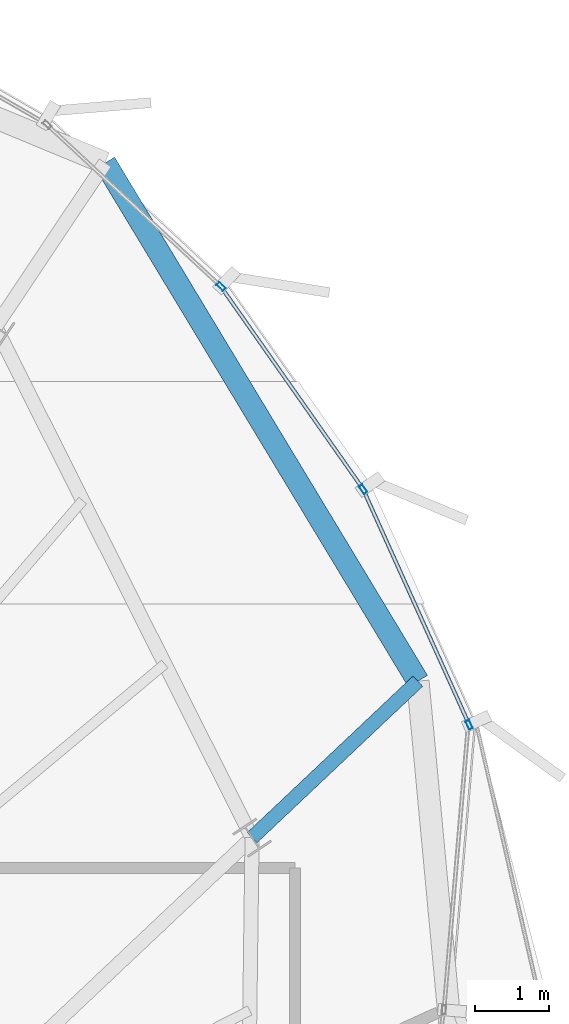
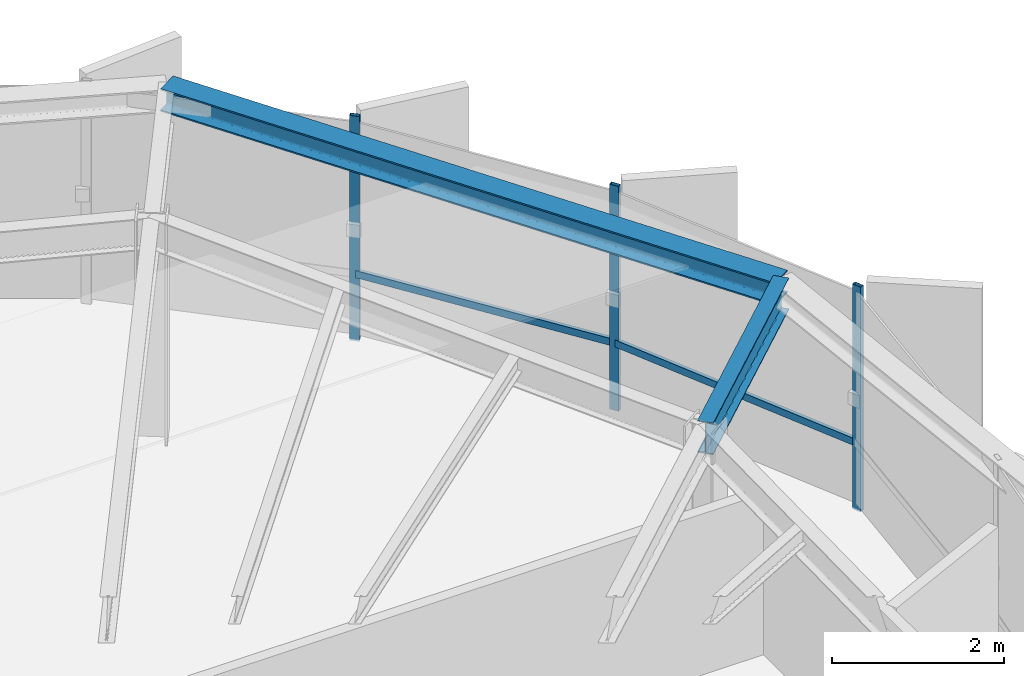
# One storey, part 23 of 31: 5 members, 2 beams, 1 element without a shape of its own.
"""IFC4 building model written with IfcOpenShell, lengths in metres."""

import ifcopenshell
import ifcopenshell.guid

model = None  # the IFC model being written
_history = None  # IfcOwnerHistory: only IFC2X3 demands one
_inside = {}  # id of a spatial element -> (the spatial element, [elements in it])
_under = {}  # id of a project, library or spatial element -> (it, [spatial elements below it])
_declared = {}  # id of a project -> (the project, [libraries it declares])
_typed = {}  # id of a type object -> (the type object, [elements of that type])
_made_of = {}  # id of a material, layer set ... -> (it, [elements and type objects made of it])


def new_model(schema):
    """Start an empty IFC model of exactly this schema.

    Asked for "IFC4X3", IfcOpenShell would pick the latest addendum, in which some entities
    have other attributes; the version numbers below select the first issue.
    IFC2X3 requires an IfcOwnerHistory on every rooted entity: one is made here for all.
    """
    global model, _history
    if schema == "IFC4X3":
        model = ifcopenshell.file(schema_version=(4, 3, 0, 0))
    else:
        model = ifcopenshell.file(schema=schema)
    _inside.clear()
    _under.clear()
    _declared.clear()
    _typed.clear()
    _made_of.clear()
    _history = None
    if model.schema == "IFC2X3":
        org = make("IfcOrganization", Name="unknown")
        user = make(
            "IfcPersonAndOrganization",
            ThePerson=make("IfcPerson", FamilyName="unknown"),
            TheOrganization=org,
        )
        app = make(
            "IfcApplication",
            ApplicationDeveloper=org,
            Version="unknown",
            ApplicationFullName="unknown",
            ApplicationIdentifier="unknown",
        )
        _history = make(
            "IfcOwnerHistory",
            OwningUser=user,
            OwningApplication=app,
            ChangeAction="ADDED",
            CreationDate=0,
        )
    return model


def make(cls, **values):
    """One entity of the class cls with the attributes given. An attribute that is None is left unset."""
    return model.create_entity(
        cls, **{name: value for name, value in values.items() if value is not None}
    )


def rooted(cls, **values):
    """An entity with a GlobalId (a new one), such as an element, a storey or a relation."""
    return make(cls, GlobalId=ifcopenshell.guid.new(), OwnerHistory=_history, **values)


def si_unit(unit_type, name, prefix=None):
    """IfcSIUnit, for example si_unit("LENGTHUNIT", "METRE", prefix="MILLI")."""
    return make("IfcSIUnit", UnitType=unit_type, Prefix=prefix, Name=name)


def assignment(units):
    """IfcUnitAssignment: the units of a project."""
    return None if units is None else make("IfcUnitAssignment", Units=units)


def point(xyz):
    """IfcCartesianPoint."""
    return None if xyz is None else make("IfcCartesianPoint", Coordinates=xyz)


def direction(xyz):
    """IfcDirection."""
    return None if xyz is None else make("IfcDirection", DirectionRatios=xyz)


def frame(location, z_axis=None, x_axis=None):
    """IfcAxis2Placement3D, a coordinate frame: its origin and axes. An axis left out is left unset."""
    return make(
        "IfcAxis2Placement3D",
        Location=point(location),
        Axis=direction(z_axis),
        RefDirection=direction(x_axis),
    )


def frame_2d(location, x_axis=None):
    """IfcAxis2Placement2D, a coordinate frame in the plane: its origin and x axis."""
    return make(
        "IfcAxis2Placement2D", Location=point(location), RefDirection=direction(x_axis)
    )


def origin():
    """The frame at (0, 0, 0) with its axes left unset."""
    return frame((0.0, 0.0, 0.0))


def origin_2d():
    """The frame at (0, 0) in the plane with its x axis left unset."""
    return frame_2d((0.0, 0.0))


def place(relative_to, where):
    """IfcLocalPlacement: puts the frame where relative to a parent placement (None: the world)."""
    return make(
        "IfcLocalPlacement", PlacementRelTo=relative_to, RelativePlacement=where
    )


def context(
    kind, dimensions, precision=None, world=None, true_north=None, identifier=None
):
    """IfcGeometricRepresentationContext, for example the 3D "Model" context."""
    return make(
        "IfcGeometricRepresentationContext",
        ContextIdentifier=identifier,
        ContextType=kind,
        CoordinateSpaceDimension=dimensions,
        Precision=precision,
        WorldCoordinateSystem=world,
        TrueNorth=true_north,
    )


def subcontext(parent, identifier, kind, view, scale=None):
    """IfcGeometricRepresentationSubContext, for example "Body" below "Model"."""
    return make(
        "IfcGeometricRepresentationSubContext",
        ContextIdentifier=identifier,
        ContextType=kind,
        ParentContext=parent,
        TargetScale=scale,
        TargetView=view,
    )


def project(units=None, contexts=None):
    """IfcProject with its units and contexts."""
    return rooted(
        "IfcProject",
        Name="project",
        RepresentationContexts=contexts,
        UnitsInContext=assignment(units),
    )


def spatial(cls, under=None, at=None, **own):
    """A site, building, storey or space (cls), placed at a placement, below another one or the project."""
    s = rooted(cls, ObjectPlacement=at, **own)
    if under is not None:
        _under.setdefault(under.id(), (under, []))[1].append(s)
    return s


def profile(cls, at=None, kind="AREA", **sizes):
    """A parametric profile (cls). Its sizes go by their IFC names, for example OverallWidth=200.0."""
    return make(cls, ProfileType=kind, Position=at, **sizes)


def hollow_rectangle(**sizes):
    """IfcRectangleHollowProfileDef."""
    return profile("IfcRectangleHollowProfileDef", **sizes)


def i_section(**sizes):
    """IfcIShapeProfileDef."""
    return profile("IfcIShapeProfileDef", **sizes)


def extrude(swept, where, along, depth):
    """IfcExtrudedAreaSolid: the profile swept, set in the frame where, extruded along a direction by depth."""
    return make(
        "IfcExtrudedAreaSolid",
        SweptArea=swept,
        Position=where,
        ExtrudedDirection=direction(along),
        Depth=depth,
    )


def shape(context_of_items, identifier, shape_type, items):
    """IfcShapeRepresentation: the items that make up one representation, for example the "Body"."""
    return make(
        "IfcShapeRepresentation",
        ContextOfItems=context_of_items,
        RepresentationIdentifier=identifier,
        RepresentationType=shape_type,
        Items=items,
    )


def source(mapping_origin, context_of_items, identifier, shape_type, items):
    """IfcRepresentationMap: a shape defined once, which mapped items show again and again."""
    return make(
        "IfcRepresentationMap",
        MappingOrigin=mapping_origin,
        MappedRepresentation=shape(context_of_items, identifier, shape_type, items),
    )


def transform(
    local_origin,
    x_axis=None,
    y_axis=None,
    z_axis=None,
    scale=None,
    scale2=None,
    scale3=None,
    uniform=True,
):
    """IfcCartesianTransformationOperator3D, or its non-uniform kind. x_axis, y_axis, z_axis: its Axis1, 2, 3."""
    if uniform:
        return make(
            "IfcCartesianTransformationOperator3D",
            Axis1=direction(x_axis),
            Axis2=direction(y_axis),
            LocalOrigin=point(local_origin),
            Scale=scale,
            Axis3=direction(z_axis),
        )
    return make(
        "IfcCartesianTransformationOperator3DnonUniform",
        Axis1=direction(x_axis),
        Axis2=direction(y_axis),
        LocalOrigin=point(local_origin),
        Scale=scale,
        Axis3=direction(z_axis),
        Scale2=scale2,
        Scale3=scale3,
    )


def mapped(mapping_source, mapping_target):
    """IfcMappedItem: shows the shape of a source again, moved by a transform."""
    return make(
        "IfcMappedItem", MappingSource=mapping_source, MappingTarget=mapping_target
    )


def material(Name=None, Category=None):
    """IfcMaterial."""
    return make("IfcMaterial", Name=Name, Category=Category)


def layer(
    of_material, thickness, ventilated=None, Name=None, Category=None, Priority=None
):
    """IfcMaterialLayer: one layer of a wall or slab, of a material (None: an air gap)."""
    return make(
        "IfcMaterialLayer",
        Material=of_material,
        LayerThickness=thickness,
        IsVentilated=ventilated,
        Name=Name,
        Category=Category,
        Priority=Priority,
    )


def layer_set(layers, Name=None):
    """IfcMaterialLayerSet."""
    return make("IfcMaterialLayerSet", MaterialLayers=layers, LayerSetName=Name)


def material_profile(
    of_material, cross_section, Name=None, Category=None, Priority=None
):
    """IfcMaterialProfile: a cross section and its material."""
    return make(
        "IfcMaterialProfile",
        Name=Name,
        Material=of_material,
        Profile=cross_section,
        Priority=Priority,
        Category=Category,
    )


def profile_set(profiles, Name=None, composite=None):
    """IfcMaterialProfileSet."""
    return make(
        "IfcMaterialProfileSet",
        Name=Name,
        MaterialProfiles=profiles,
        CompositeProfile=composite,
    )


def made_of(thing, what):
    """Note that an element or type object is made of a material, layer set ...; save() writes the relation."""
    if what is not None:
        _made_of.setdefault(what.id(), (what, []))[1].append(thing)
    return thing


def type_object(cls, material=None, **own):
    """A type object (cls), such as IfcWallType, which elements share."""
    return made_of(rooted(cls, **own), material)


def element(
    cls,
    number,
    at=None,
    inside=None,
    cuts=None,
    type_object=None,
    material=None,
    context=None,
    identifier="Body",
    shape_type=None,
    held_by="IfcProductDefinitionShape",
    body=None,
    shapes=None,
    **own,
):
    """One element of the class cls, such as IfcWall. Its Tag is "e" and its number.

    at: its placement. inside: the storey or other place that contains it. cuts: it is an
    opening in that element (IfcRelVoidsElement). A single representation is given by context,
    identifier, shape_type and body (its items); several are given by shapes. held_by: the class
    of the entity that holds the representations. save() writes the other relations.
    """
    e = rooted(cls, Tag="e%d" % number, ObjectPlacement=at, **own)
    if body is not None:
        shapes = [shape(context, identifier, shape_type, body)]
    if shapes is not None:
        e.Representation = make(held_by, Representations=shapes)
    if inside is not None:
        _inside.setdefault(inside.id(), (inside, []))[1].append(e)
    if cuts is not None:
        rooted(
            "IfcRelVoidsElement", RelatingBuildingElement=cuts, RelatedOpeningElement=e
        )
    if type_object is not None:
        _typed.setdefault(type_object.id(), (type_object, []))[1].append(e)
    return made_of(e, material)


def aggregate(whole, parts):
    """IfcRelAggregates: a whole, such as a stair, and the parts it consists of."""
    return rooted("IfcRelAggregates", RelatingObject=whole, RelatedObjects=parts)


def save(model, path):
    """Write the relations noted so far, then the file.

    IfcRelAggregates (storeys below a building ...), IfcRelContainedInSpatialStructure (elements
    in a storey), IfcRelDefinesByType, IfcRelAssociatesMaterial and IfcRelDeclares: one each for
    every whole, place, type object, material and project.
    """
    for whole, parts in _under.values():
        aggregate(whole, parts)
    for where, things in _inside.values():
        rooted(
            "IfcRelContainedInSpatialStructure",
            RelatedElements=things,
            RelatingStructure=where,
        )
    for kind, things in _typed.values():
        rooted("IfcRelDefinesByType", RelatedObjects=things, RelatingType=kind)
    for what, things in _made_of.values():
        rooted("IfcRelAssociatesMaterial", RelatedObjects=things, RelatingMaterial=what)
    for by, libraries in _declared.values():
        rooted("IfcRelDeclares", RelatingContext=by, RelatedDefinitions=libraries)
    model.write(path)


model = new_model("IFC4")

# Units and contexts
model_context = context("Model", 3, precision=1e-05, world=origin(), true_north=direction((0.0, 1.0)))
body_context = subcontext(model_context, "Body", "Model", "MODEL_VIEW")
ifc_project = project(units=[si_unit("LENGTHUNIT", "METRE"), si_unit("AREAUNIT", "SQUARE_METRE"), si_unit("VOLUMEUNIT", "CUBIC_METRE"), si_unit("PLANEANGLEUNIT", "RADIAN"), si_unit("MASSUNIT", "GRAM", prefix="KILO"), si_unit("THERMODYNAMICTEMPERATUREUNIT", "KELVIN")], contexts=[model_context])

# Site, building, storey
site_placement = place(None, origin())
site = spatial("IfcSite", under=ifc_project, at=site_placement, CompositionType="ELEMENT")
building_placement = place(site_placement, origin())
building = spatial("IfcBuilding", under=site, at=building_placement, Name="Kethvar Cultural Tower", CompositionType="ELEMENT")
storey_placement = place(building_placement, frame((0.0, 0.0, 300.85009765625)))
storey = spatial("IfcBuildingStorey", under=building, at=storey_placement, Name="L80", CompositionType="ELEMENT", Elevation=300.85009765625)

# Beams
ifc_material_1 = material(Name="Steel S355J2", Category="steel")
ifc_material_profile_1 = material_profile(ifc_material_1, i_section(OverallWidth=0.18994140625, OverallDepth=0.449951171875, WebThickness=0.009521484375, FlangeThickness=0.0146484375, FilletRadius=0.02099609375, at=origin_2d()), Name="Steel S355J2 — IPE450")
ifc_profile_set_1 = profile_set([ifc_material_profile_1], Name="Steel S355J2 — IPE450")
beam_type_1 = type_object("IfcBeamType", Name="BM-IPE450", PredefinedType="BEAM", material=ifc_profile_set_1)
shared_shape_1 = source(origin(), body_context, "Body", "SweptSolid", [
    extrude(i_section(OverallWidth=0.18994140625, OverallDepth=0.449951171875, WebThickness=0.009521484375, FlangeThickness=0.0146484375, FilletRadius=0.02099609375, at=origin_2d()), origin(), (0.0, 0.0, 1.0), 3.066650390625),
])
beam_1_placement = place(storey_placement, frame((61.32568359375, 37.505859375, 2.9580078125), z_axis=(0.727154434524, 0.686473909448, 0.0), x_axis=(-0.686473909448, 0.727154434524, 0.0)))
element("IfcBeam", 1, at=beam_1_placement, inside=storey, type_object=beam_type_1, Name="L80 Perimeter Cantilever Beam RC-02", PredefinedType="BEAM", context=body_context, shape_type="MappedRepresentation", body=[
    mapped(shared_shape_1, transform((0.0, 0.0, 0.0), scale=1.0)),
])
ifc_material_profile_2 = material_profile(ifc_material_1, i_section(OverallWidth=0.300048828125, OverallDepth=0.320068359375, WebThickness=0.011474609375, FlangeThickness=0.0205078125, FilletRadius=0.027099609375, at=origin_2d()), Name="Steel S355J2 — HEB320")
ifc_profile_set_2 = profile_set([ifc_material_profile_2], Name="Steel S355J2 — HEB320")
beam_type_2 = type_object("IfcBeamType", Name="BM-SP320", PredefinedType="SPANDREL", material=ifc_profile_set_2)
shared_shape_2 = source(origin(), body_context, "Body", "SweptSolid", [
    extrude(i_section(OverallWidth=0.300048828125, OverallDepth=0.320068359375, WebThickness=0.011474609375, FlangeThickness=0.0205078125, FilletRadius=0.027099609375, at=origin_2d()), origin(), (0.0, 0.0, 1.0), 8.140625),
])
beam_2_placement = place(storey_placement, frame((63.5556640625, 39.611083984375, 3.02294921875), z_axis=(-0.516796112213, 0.856108508544, 0.0), x_axis=(-0.856108508544, -0.516796112213, 0.0)))
element("IfcBeam", 2, at=beam_2_placement, inside=storey, type_object=beam_type_2, Name="L80 Perimeter Spandrel Beam SP-02", PredefinedType="SPANDREL", context=body_context, shape_type="MappedRepresentation", body=[
    mapped(shared_shape_2, transform((0.0, 0.0, 0.0), scale=1.0)),
])

# Curtain wall, members
ifc_material_2 = material(Name="Aluminium 6063-T6", Category="aluminium")
ifc_layer = layer(ifc_material_2, 0.179931640625, Name="Aluminium 6063-T6", Category="aluminium")
ifc_layer_set = layer_set([ifc_layer], Name="Aluminium 6063-T6 (180 mm)")
curtain_wall_type = type_object("IfcCurtainWallType", Name="CW-SYS-05-Z56", PredefinedType="NOTDEFINED", material=ifc_layer_set)
curtain_wall_placement = place(storey_placement, origin())
curtain_wall = element("IfcCurtainWall", 3, at=curtain_wall_placement, inside=storey, type_object=curtain_wall_type, Name="L80 Curtain Wall Run 06", PredefinedType="NOTDEFINED")
ifc_material_profile_3 = material_profile(ifc_material_2, hollow_rectangle(XDim=0.050048828125, YDim=0.10009765625, WallThickness=0.00390625, at=origin_2d()), Name="Aluminium 6063-T6 — RHS100x50x4")
ifc_profile_set_3 = profile_set([ifc_material_profile_3], Name="Aluminium 6063-T6 — RHS100x50x4")
member_type_1 = type_object("IfcMemberType", Name="CW-SYS-05-Z56-TRN", PredefinedType="USERDEFINED", material=ifc_profile_set_3)
shared_shape_3 = source(origin(), body_context, "Body", "SweptSolid", [
    extrude(hollow_rectangle(XDim=0.050048828125, YDim=0.10009765625, WallThickness=0.00390625, at=origin_2d()), origin(), (0.0, 0.0, 1.0), 3.270751953125),
])
member_1_placement = place(storey_placement, frame((62.79736328125, 42.224609375, 0.949951171875), z_axis=(-0.574809111257, 0.81828753236, 0.0), x_axis=(-0.81828753236, -0.574809111257, 0.0)))
member_1 = element("IfcMember", 4, at=member_1_placement, type_object=member_type_1, Name="CW-L80-R06 Transom 5", ObjectType="TRANSOM", PredefinedType="USERDEFINED", context=body_context, shape_type="MappedRepresentation", body=[
    mapped(shared_shape_3, transform((0.0, 0.0, 0.0), scale=1.0)),
])
ifc_material_profile_4 = material_profile(ifc_material_2, hollow_rectangle(XDim=0.054931640625, YDim=0.1201171875, WallThickness=0.00390625, at=origin_2d()), Name="Aluminium 6063-T6 — RHS120x55x4")
ifc_profile_set_4 = profile_set([ifc_material_profile_4], Name="Aluminium 6063-T6 — RHS120x55x4")
member_type_2 = type_object("IfcMemberType", Name="CW-SYS-05-Z56-MUL", PredefinedType="MULLION", material=ifc_profile_set_4)
shared_shape_4 = source(origin(), body_context, "Body", "SweptSolid", [
    extrude(hollow_rectangle(XDim=0.054931640625, YDim=0.1201171875, WallThickness=0.00390625, at=origin_2d()), origin(), (0.0, 0.0, 1.0), 3.184814453125),
])
member_2_placement = place(storey_placement, frame((64.24560546875, 39.024658203125, 0.0), z_axis=(0.0, 0.0, 1.0), x_axis=(-0.911704687519, -0.410846154607, 0.0)))
member_2 = element("IfcMember", 5, at=member_2_placement, type_object=member_type_2, Name="CW-L80-R06 Mullion 4", PredefinedType="MULLION", context=body_context, shape_type="MappedRepresentation", body=[
    mapped(shared_shape_4, transform((0.0, 0.0, 0.0), scale=1.0)),
])
member_3_placement = place(storey_placement, frame((62.8203125, 42.1923828125, 0.0), z_axis=(0.0, 0.0, 1.0), x_axis=(-0.818280160918, -0.574819604962, 0.0)))
member_3 = element("IfcMember", 6, at=member_3_placement, type_object=member_type_2, Name="CW-L80-R06 Mullion 5", PredefinedType="MULLION", context=body_context, shape_type="MappedRepresentation", body=[
    mapped(shared_shape_4, transform((0.0, 0.0, 0.0), scale=1.0)),
])
member_4_placement = place(storey_placement, frame((60.908203125, 44.917724609375, 0.0), z_axis=(0.0, 0.0, 1.0), x_axis=(-0.681181004838, -0.732115044681, 0.0)))
member_4 = element("IfcMember", 7, at=member_4_placement, type_object=member_type_2, Name="CW-L80-R06 Mullion 6", PredefinedType="MULLION", context=body_context, shape_type="MappedRepresentation", body=[
    mapped(shared_shape_4, transform((0.0, 0.0, 0.0), scale=1.0)),
])
shared_shape_5 = source(origin(), body_context, "Body", "SweptSolid", [
    extrude(hollow_rectangle(XDim=0.050048828125, YDim=0.10009765625, WallThickness=0.00390625, at=origin_2d()), origin(), (0.0, 0.0, 1.0), 3.4130859375),
])
member_5_placement = place(storey_placement, frame((64.2294921875, 39.060791015625, 0.949951171875), z_axis=(-0.410858325761, 0.911699202672, 0.0), x_axis=(-0.911699202672, -0.410858325761, 0.0)))
member_5 = element("IfcMember", 8, at=member_5_placement, type_object=member_type_1, Name="CW-L80-R06 Transom 4", ObjectType="TRANSOM", PredefinedType="USERDEFINED", context=body_context, shape_type="MappedRepresentation", body=[
    mapped(shared_shape_5, transform((0.0, 0.0, 0.0), scale=1.0)),
])
aggregate(curtain_wall, [member_2, member_3, member_4, member_5, member_1])

save(model, "model.ifc")
